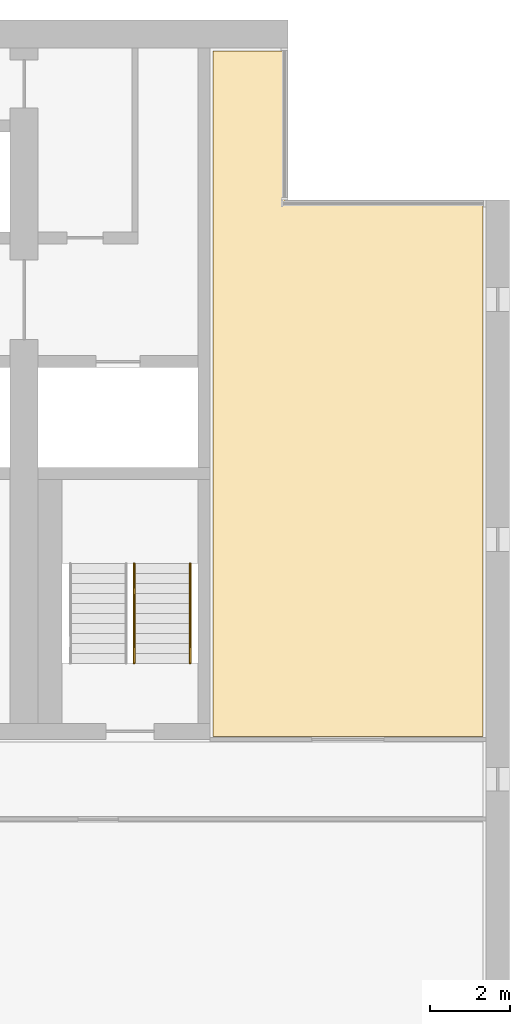
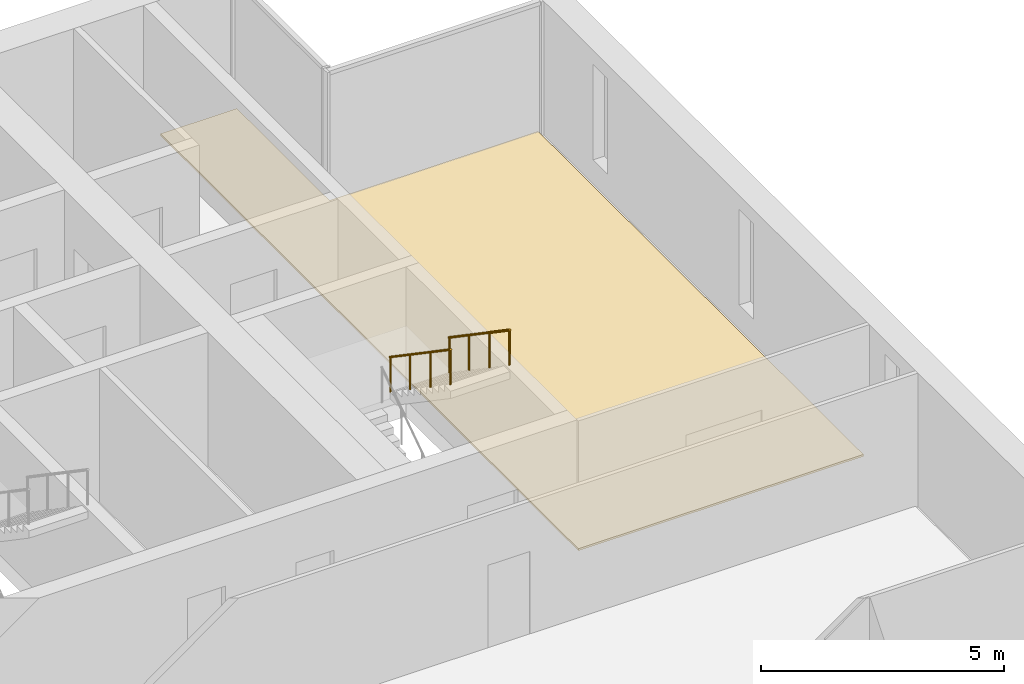
# One storey, part 17 of 17: 2 railings, 1 covering, 1 element without a shape of its own.
"""IFC4 building model written with IfcOpenShell, lengths in metres."""

import ifcopenshell
import ifcopenshell.guid

model = None  # the IFC model being written
_history = None  # IfcOwnerHistory: only IFC2X3 demands one
_inside = {}  # id of a spatial element -> (the spatial element, [elements in it])
_under = {}  # id of a project, library or spatial element -> (it, [spatial elements below it])
_declared = {}  # id of a project -> (the project, [libraries it declares])
_typed = {}  # id of a type object -> (the type object, [elements of that type])
_made_of = {}  # id of a material, layer set ... -> (it, [elements and type objects made of it])


def new_model(schema):
    """Start an empty IFC model of exactly this schema.

    Asked for "IFC4X3", IfcOpenShell would pick the latest addendum, in which some entities
    have other attributes; the version numbers below select the first issue.
    IFC2X3 requires an IfcOwnerHistory on every rooted entity: one is made here for all.
    """
    global model, _history
    if schema == "IFC4X3":
        model = ifcopenshell.file(schema_version=(4, 3, 0, 0))
    else:
        model = ifcopenshell.file(schema=schema)
    _inside.clear()
    _under.clear()
    _declared.clear()
    _typed.clear()
    _made_of.clear()
    _history = None
    if model.schema == "IFC2X3":
        org = make("IfcOrganization", Name="unknown")
        user = make(
            "IfcPersonAndOrganization",
            ThePerson=make("IfcPerson", FamilyName="unknown"),
            TheOrganization=org,
        )
        app = make(
            "IfcApplication",
            ApplicationDeveloper=org,
            Version="unknown",
            ApplicationFullName="unknown",
            ApplicationIdentifier="unknown",
        )
        _history = make(
            "IfcOwnerHistory",
            OwningUser=user,
            OwningApplication=app,
            ChangeAction="ADDED",
            CreationDate=0,
        )
    return model


def make(cls, **values):
    """One entity of the class cls with the attributes given. An attribute that is None is left unset."""
    return model.create_entity(
        cls, **{name: value for name, value in values.items() if value is not None}
    )


def rooted(cls, **values):
    """An entity with a GlobalId (a new one), such as an element, a storey or a relation."""
    return make(cls, GlobalId=ifcopenshell.guid.new(), OwnerHistory=_history, **values)


def si_unit(unit_type, name, prefix=None):
    """IfcSIUnit, for example si_unit("LENGTHUNIT", "METRE", prefix="MILLI")."""
    return make("IfcSIUnit", UnitType=unit_type, Prefix=prefix, Name=name)


def assignment(units):
    """IfcUnitAssignment: the units of a project."""
    return None if units is None else make("IfcUnitAssignment", Units=units)


def point(xyz):
    """IfcCartesianPoint."""
    return None if xyz is None else make("IfcCartesianPoint", Coordinates=xyz)


def direction(xyz):
    """IfcDirection."""
    return None if xyz is None else make("IfcDirection", DirectionRatios=xyz)


def frame(location, z_axis=None, x_axis=None):
    """IfcAxis2Placement3D, a coordinate frame: its origin and axes. An axis left out is left unset."""
    return make(
        "IfcAxis2Placement3D",
        Location=point(location),
        Axis=direction(z_axis),
        RefDirection=direction(x_axis),
    )


def frame_2d(location, x_axis=None):
    """IfcAxis2Placement2D, a coordinate frame in the plane: its origin and x axis."""
    return make(
        "IfcAxis2Placement2D", Location=point(location), RefDirection=direction(x_axis)
    )


def origin():
    """The frame at (0, 0, 0) with its axes left unset."""
    return frame((0.0, 0.0, 0.0))


def origin_2d():
    """The frame at (0, 0) in the plane with its x axis left unset."""
    return frame_2d((0.0, 0.0))


def place(relative_to, where):
    """IfcLocalPlacement: puts the frame where relative to a parent placement (None: the world)."""
    return make(
        "IfcLocalPlacement", PlacementRelTo=relative_to, RelativePlacement=where
    )


def context(
    kind, dimensions, precision=None, world=None, true_north=None, identifier=None
):
    """IfcGeometricRepresentationContext, for example the 3D "Model" context."""
    return make(
        "IfcGeometricRepresentationContext",
        ContextIdentifier=identifier,
        ContextType=kind,
        CoordinateSpaceDimension=dimensions,
        Precision=precision,
        WorldCoordinateSystem=world,
        TrueNorth=true_north,
    )


def subcontext(parent, identifier, kind, view, scale=None):
    """IfcGeometricRepresentationSubContext, for example "Body" below "Model"."""
    return make(
        "IfcGeometricRepresentationSubContext",
        ContextIdentifier=identifier,
        ContextType=kind,
        ParentContext=parent,
        TargetScale=scale,
        TargetView=view,
    )


def project(units=None, contexts=None):
    """IfcProject with its units and contexts."""
    return rooted(
        "IfcProject",
        Name="project",
        RepresentationContexts=contexts,
        UnitsInContext=assignment(units),
    )


def spatial(cls, under=None, at=None, **own):
    """A site, building, storey or space (cls), placed at a placement, below another one or the project."""
    s = rooted(cls, ObjectPlacement=at, **own)
    if under is not None:
        _under.setdefault(under.id(), (under, []))[1].append(s)
    return s


def polyline(points):
    """IfcPolyline through the points."""
    return make("IfcPolyline", Points=[point(p) for p in points])


def profile(cls, at=None, kind="AREA", **sizes):
    """A parametric profile (cls). Its sizes go by their IFC names, for example OverallWidth=200.0."""
    return make(cls, ProfileType=kind, Position=at, **sizes)


def circle(**sizes):
    """IfcCircleProfileDef."""
    return profile("IfcCircleProfileDef", **sizes)


def outline(outer, holes=None, kind="AREA"):
    """IfcArbitraryClosedProfileDef: a profile drawn as a closed curve; with holes, ...WithVoids."""
    if holes is None:
        return make("IfcArbitraryClosedProfileDef", ProfileType=kind, OuterCurve=outer)
    return make(
        "IfcArbitraryProfileDefWithVoids",
        ProfileType=kind,
        OuterCurve=outer,
        InnerCurves=holes,
    )


def extrude(swept, where, along, depth):
    """IfcExtrudedAreaSolid: the profile swept, set in the frame where, extruded along a direction by depth."""
    return make(
        "IfcExtrudedAreaSolid",
        SweptArea=swept,
        Position=where,
        ExtrudedDirection=direction(along),
        Depth=depth,
    )


def shape(context_of_items, identifier, shape_type, items):
    """IfcShapeRepresentation: the items that make up one representation, for example the "Body"."""
    return make(
        "IfcShapeRepresentation",
        ContextOfItems=context_of_items,
        RepresentationIdentifier=identifier,
        RepresentationType=shape_type,
        Items=items,
    )


def material(Name=None, Category=None):
    """IfcMaterial."""
    return make("IfcMaterial", Name=Name, Category=Category)


def layer(
    of_material, thickness, ventilated=None, Name=None, Category=None, Priority=None
):
    """IfcMaterialLayer: one layer of a wall or slab, of a material (None: an air gap)."""
    return make(
        "IfcMaterialLayer",
        Material=of_material,
        LayerThickness=thickness,
        IsVentilated=ventilated,
        Name=Name,
        Category=Category,
        Priority=Priority,
    )


def layer_set(layers, Name=None):
    """IfcMaterialLayerSet."""
    return make("IfcMaterialLayerSet", MaterialLayers=layers, LayerSetName=Name)


def made_of(thing, what):
    """Note that an element or type object is made of a material, layer set ...; save() writes the relation."""
    if what is not None:
        _made_of.setdefault(what.id(), (what, []))[1].append(thing)
    return thing


def type_object(cls, material=None, **own):
    """A type object (cls), such as IfcWallType, which elements share."""
    return made_of(rooted(cls, **own), material)


def element(
    cls,
    number,
    at=None,
    inside=None,
    cuts=None,
    type_object=None,
    material=None,
    context=None,
    identifier="Body",
    shape_type=None,
    held_by="IfcProductDefinitionShape",
    body=None,
    shapes=None,
    **own,
):
    """One element of the class cls, such as IfcWall. Its Tag is "e" and its number.

    at: its placement. inside: the storey or other place that contains it. cuts: it is an
    opening in that element (IfcRelVoidsElement). A single representation is given by context,
    identifier, shape_type and body (its items); several are given by shapes. held_by: the class
    of the entity that holds the representations. save() writes the other relations.
    """
    e = rooted(cls, Tag="e%d" % number, ObjectPlacement=at, **own)
    if body is not None:
        shapes = [shape(context, identifier, shape_type, body)]
    if shapes is not None:
        e.Representation = make(held_by, Representations=shapes)
    if inside is not None:
        _inside.setdefault(inside.id(), (inside, []))[1].append(e)
    if cuts is not None:
        rooted(
            "IfcRelVoidsElement", RelatingBuildingElement=cuts, RelatedOpeningElement=e
        )
    if type_object is not None:
        _typed.setdefault(type_object.id(), (type_object, []))[1].append(e)
    return made_of(e, material)


def aggregate(whole, parts):
    """IfcRelAggregates: a whole, such as a stair, and the parts it consists of."""
    return rooted("IfcRelAggregates", RelatingObject=whole, RelatedObjects=parts)


def save(model, path):
    """Write the relations noted so far, then the file.

    IfcRelAggregates (storeys below a building ...), IfcRelContainedInSpatialStructure (elements
    in a storey), IfcRelDefinesByType, IfcRelAssociatesMaterial and IfcRelDeclares: one each for
    every whole, place, type object, material and project.
    """
    for whole, parts in _under.values():
        aggregate(whole, parts)
    for where, things in _inside.values():
        rooted(
            "IfcRelContainedInSpatialStructure",
            RelatedElements=things,
            RelatingStructure=where,
        )
    for kind, things in _typed.values():
        rooted("IfcRelDefinesByType", RelatedObjects=things, RelatingType=kind)
    for what, things in _made_of.values():
        rooted("IfcRelAssociatesMaterial", RelatedObjects=things, RelatingMaterial=what)
    for by, libraries in _declared.values():
        rooted("IfcRelDeclares", RelatingContext=by, RelatedDefinitions=libraries)
    model.write(path)


model = new_model("IFC4")

# Units and contexts
model_context = context("Model", 3, precision=1e-05, world=origin(), true_north=direction((0.0, 1.0)))
body_context = subcontext(model_context, "Body", "Model", "MODEL_VIEW")
ifc_project = project(units=[si_unit("LENGTHUNIT", "METRE"), si_unit("AREAUNIT", "SQUARE_METRE"), si_unit("VOLUMEUNIT", "CUBIC_METRE"), si_unit("PLANEANGLEUNIT", "RADIAN"), si_unit("MASSUNIT", "GRAM", prefix="KILO")], contexts=[model_context])

# Site, building, storey
site_placement = place(None, origin())
site = spatial("IfcSite", under=ifc_project, at=site_placement, CompositionType="ELEMENT")
building_placement = place(site_placement, origin())
building = spatial("IfcBuilding", under=site, at=building_placement, Name="Calvaro Tower", CompositionType="ELEMENT")
storey_placement = place(building_placement, frame((0.0, 0.0, 200.5)))
storey = spatial("IfcBuildingStorey", under=building, at=storey_placement, Name="L50", CompositionType="ELEMENT", Elevation=200.5)

# Covering
ifc_material_1 = material(Name="Cement screed with carpet tile finish")
ifc_layer = layer(ifc_material_1, 0.050048828125)
ifc_layer_set = layer_set([ifc_layer], Name="Cement screed with carpet tile finish")
covering_type = type_object("IfcCoveringType", Name="Floor finish 50", PredefinedType="FLOORING", material=ifc_layer_set)
covering_placement = place(storey_placement, origin())
element("IfcCovering", 1, at=covering_placement, inside=storey, type_object=covering_type, Name="Floor finish 29.19", PredefinedType="FLOORING", context=body_context, shape_type="SweptSolid", body=[
    extrude(outline(polyline([(71.330078125, 28.070068359375), (64.570068359375, 28.070068359375), (64.570068359375, 45.22998046875), (66.3798828125, 45.22998046875), (66.3798828125, 41.429931640625), (71.330078125, 41.429931640625), (71.330078125, 28.070068359375)])), origin(), (0.0, 0.0, 1.0), 0.050048828125),
])

# Stair, railings
ifc_material_2 = material(Name="Concrete C40/50", Category="concrete")
stair_type = type_object("IfcStairType", Name="Exit stair 1400 2 flights", PredefinedType="HALF_TURN_STAIR", material=ifc_material_2)
stair_placement = place(storey_placement, origin())
stair = element("IfcStair", 2, at=stair_placement, inside=storey, type_object=stair_type, Name="Exit stair S5", PredefinedType="HALF_TURN_STAIR")
ifc_material_3 = material(Name="Stainless steel", Category="steel")
railing_type = type_object("IfcRailingType", Name="Stair handrail", PredefinedType="HANDRAIL", material=ifc_material_3)
railing_1_placement = place(storey_placement, frame((62.60009765625, 32.39990234375, 2.04541015625)))
railing_1 = element("IfcRailing", 3, at=railing_1_placement, type_object=railing_type, Name="Exit stair 5 handrail", PredefinedType="HANDRAIL", context=body_context, shape_type="SweptSolid", body=[
    extrude(circle(Radius=0.02392578125, at=origin_2d()), frame((0.0, 0.0, 0.8759765625), z_axis=(0.0, -0.826220514629, 0.563346839174), x_axis=(1.0, 0.0, 0.0)), (0.0, 0.0, 1.0), 3.02587890625),
    extrude(circle(Radius=0.02099609375, at=origin_2d()), frame((0.0, -0.017333984375, 0.01171875)), (0.0, 0.0, 1.0), 0.851806640625),
    extrude(circle(Radius=0.02099609375, at=origin_2d()), frame((0.0, -0.833251953125, 0.568115234375)), (0.0, 0.0, 1.0), 0.851806640625),
    extrude(circle(Radius=0.02099609375, at=origin_2d()), frame((0.0, -1.666748046875, 1.136474609375)), (0.0, 0.0, 1.0), 0.851806640625),
    extrude(circle(Radius=0.02099609375, at=origin_2d()), frame((0.0, -2.482666015625, 1.69287109375)), (0.0, 0.0, 1.0), 0.851806640625),
])
railing_2_placement = place(storey_placement, frame((64.0, 32.39990234375, 2.04541015625)))
railing_2 = element("IfcRailing", 4, at=railing_2_placement, type_object=railing_type, Name="Exit stair 5 handrail", PredefinedType="HANDRAIL", context=body_context, shape_type="SweptSolid", body=[
    extrude(circle(Radius=0.02392578125, at=origin_2d()), frame((0.0, 0.0, 0.8759765625), z_axis=(0.0, -0.826220514629, 0.563346839174), x_axis=(1.0, 0.0, 0.0)), (0.0, 0.0, 1.0), 3.02587890625),
    extrude(circle(Radius=0.02099609375, at=origin_2d()), frame((0.0, -0.017333984375, 0.01171875)), (0.0, 0.0, 1.0), 0.851806640625),
    extrude(circle(Radius=0.02099609375, at=origin_2d()), frame((0.0, -0.833251953125, 0.568115234375)), (0.0, 0.0, 1.0), 0.851806640625),
    extrude(circle(Radius=0.02099609375, at=origin_2d()), frame((0.0, -1.666748046875, 1.136474609375)), (0.0, 0.0, 1.0), 0.851806640625),
    extrude(circle(Radius=0.02099609375, at=origin_2d()), frame((0.0, -2.482666015625, 1.69287109375)), (0.0, 0.0, 1.0), 0.851806640625),
])
aggregate(stair, [railing_1, railing_2])

save(model, "model.ifc")
